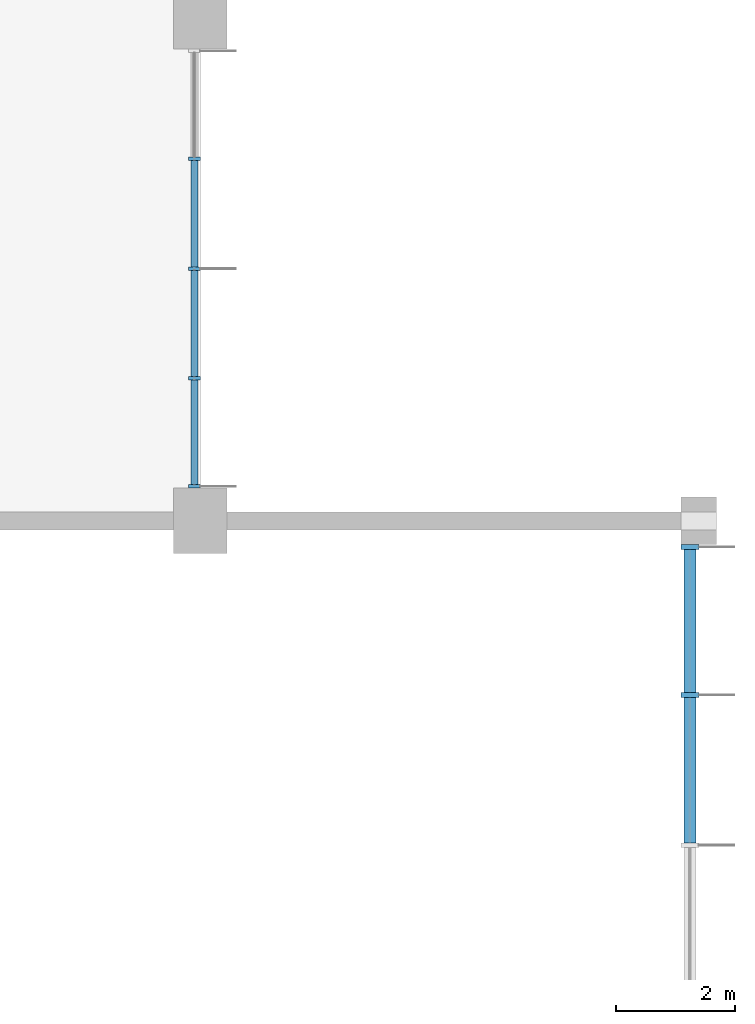
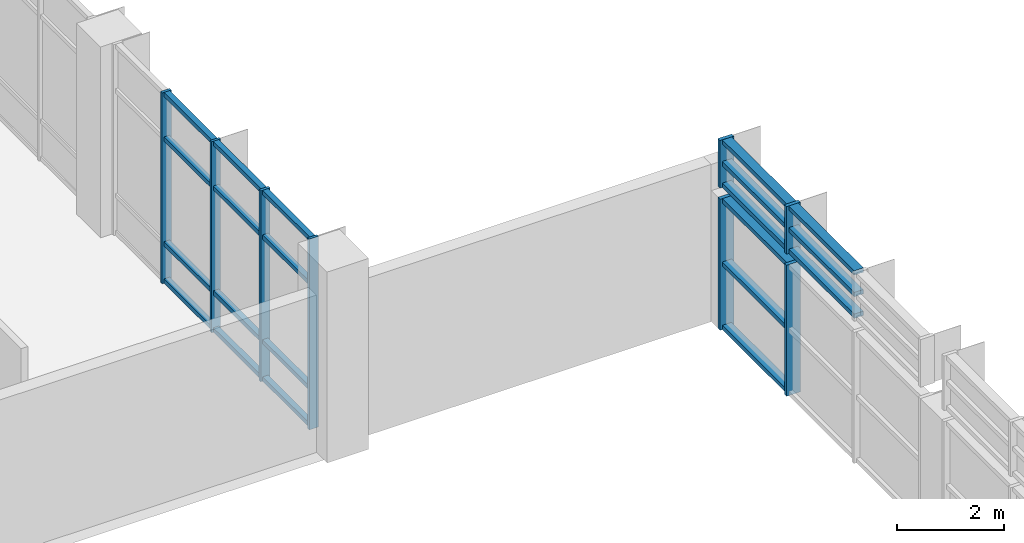
# One storey, part 17 of 70: 29 members, 3 elements without a shape of their own.
"""IFC4 building model written with IfcOpenShell, lengths in metres."""

from ifc_helpers import new_model, si_unit, direction, frame, origin, origin_2d, place, context, subcontext, project, spatial, rectangle, extrude, material, material_profile, profile_set, type_object, element, aggregate, save


model = new_model("IFC4")

# Units and contexts
model_context = context("Model", 3, precision=1e-05, world=origin(), true_north=direction((0.0, 1.0)))
body_context = subcontext(model_context, "Body", "Model", "MODEL_VIEW")
ifc_project = project(units=[si_unit("LENGTHUNIT", "METRE"), si_unit("AREAUNIT", "SQUARE_METRE"), si_unit("VOLUMEUNIT", "CUBIC_METRE"), si_unit("PLANEANGLEUNIT", "RADIAN"), si_unit("MASSUNIT", "GRAM", prefix="KILO")], contexts=[model_context])

# Site, building, storey
site_placement = place(None, origin())
site = spatial("IfcSite", under=ifc_project, at=site_placement, CompositionType="ELEMENT")
building_placement = place(site_placement, origin())
building = spatial("IfcBuilding", under=site, at=building_placement, Name="Hlaing Beacon Police Headquarters", CompositionType="ELEMENT")
storey_placement = place(building_placement, frame((0.0, 0.0, 5.39990234375)))
storey = spatial("IfcBuildingStorey", under=building, at=storey_placement, Name="L01", CompositionType="ELEMENT", Elevation=5.39990234375)

# Curtain wall, members
ifc_material_1 = material(Name="Aluminium frame with solar control glazing", Category="aluminium")
curtain_wall_type_1 = type_object("IfcCurtainWallType", Name="Unitised curtain wall 7.40 x 4.37", PredefinedType="NOTDEFINED", material=ifc_material_1)
curtain_wall_1_placement = place(storey_placement, origin())
curtain_wall_1 = element("IfcCurtainWall", 1, at=curtain_wall_1_placement, inside=storey, type_object=curtain_wall_type_1, Name="ENV-CW-L01-E019", PredefinedType="NOTDEFINED")
ifc_material_2 = material(Name="Aluminium", Category="aluminium")
ifc_material_profile_1 = material_profile(ifc_material_2, rectangle(XDim=0.199951171875, YDim=0.06005859375, at=origin_2d()), Name="Mullion 60x200")
ifc_profile_set_1 = profile_set([ifc_material_profile_1], Name="Aluminium")
member_type_1 = type_object("IfcMemberType", Name="Mullion 60x200", PredefinedType="MULLION", material=ifc_profile_set_1)
member_1_placement = place(storey_placement, frame((125.89990234375, 34.179931640625, 0.0), z_axis=(0.0, 0.0, 1.0), x_axis=(-1.0, 0.0, 0.0)))
member_1 = element("IfcMember", 2, at=member_1_placement, type_object=member_type_1, Name="CW-L01-E019 mullion 1", PredefinedType="MULLION", context=body_context, shape_type="SweptSolid", body=[
    extrude(rectangle(XDim=0.199951171875, YDim=0.06005859375, at=origin_2d()), origin(), (0.0, 0.0, 1.0), 4.3701171875),
])
member_2_placement = place(storey_placement, frame((125.89990234375, 36.0, 0.0), z_axis=(0.0, 0.0, 1.0), x_axis=(-1.0, 0.0, 0.0)))
member_2 = element("IfcMember", 3, at=member_2_placement, type_object=member_type_1, Name="CW-L01-E019 mullion 2", PredefinedType="MULLION", context=body_context, shape_type="SweptSolid", body=[
    extrude(rectangle(XDim=0.199951171875, YDim=0.06005859375, at=origin_2d()), origin(), (0.0, 0.0, 1.0), 4.3701171875),
])
member_3_placement = place(storey_placement, frame((125.89990234375, 37.85009765625, 0.0), z_axis=(0.0, 0.0, 1.0), x_axis=(-1.0, 0.0, 0.0)))
member_3 = element("IfcMember", 4, at=member_3_placement, type_object=member_type_1, Name="CW-L01-E019 mullion 3", PredefinedType="MULLION", context=body_context, shape_type="SweptSolid", body=[
    extrude(rectangle(XDim=0.199951171875, YDim=0.06005859375, at=origin_2d()), origin(), (0.0, 0.0, 1.0), 4.3701171875),
])
member_4_placement = place(storey_placement, frame((125.89990234375, 39.699951171875, 0.0), z_axis=(0.0, 0.0, 1.0), x_axis=(-1.0, 0.0, 0.0)))
member_4 = element("IfcMember", 5, at=member_4_placement, type_object=member_type_1, Name="CW-L01-E019 mullion 4", PredefinedType="MULLION", context=body_context, shape_type="SweptSolid", body=[
    extrude(rectangle(XDim=0.199951171875, YDim=0.06005859375, at=origin_2d()), origin(), (0.0, 0.0, 1.0), 4.3701171875),
])

ifc_material_3 = material(Name="Aluminium frame with solar control glazing", Category="aluminium")
curtain_wall_type_2 = type_object("IfcCurtainWallType", Name="Structural glazed gable wall 7.60 x 3.00", PredefinedType="NOTDEFINED", material=ifc_material_3)
curtain_wall_2_placement = place(storey_placement, origin())
curtain_wall_2 = element("IfcCurtainWall", 6, at=curtain_wall_2_placement, inside=storey, type_object=curtain_wall_type_2, Name="ENV-CW-L01-E005", PredefinedType="NOTDEFINED")
ifc_material_4 = material(Name="Aluminium", Category="aluminium")
ifc_material_profile_2 = material_profile(ifc_material_4, rectangle(XDim=0.300048828125, YDim=0.080078125, at=origin_2d()), Name="Mullion 80x300")
ifc_profile_set_2 = profile_set([ifc_material_profile_2], Name="Aluminium")
member_type_2 = type_object("IfcMemberType", Name="Mullion 80x300", PredefinedType="MULLION", material=ifc_profile_set_2)
member_5_placement = place(storey_placement, frame((134.25, 30.666748046875, 0.0), z_axis=(0.0, 0.0, 1.0), x_axis=(-1.0, 0.0, 0.0)))
member_5 = element("IfcMember", 7, at=member_5_placement, type_object=member_type_2, Name="CW-L01-E005 mullion 3", PredefinedType="MULLION", context=body_context, shape_type="SweptSolid", body=[
    extrude(rectangle(XDim=0.300048828125, YDim=0.080078125, at=origin_2d()), origin(), (0.0, 0.0, 1.0), 3.0),
])
member_6_placement = place(storey_placement, frame((134.25, 33.159912109375, 0.0), z_axis=(0.0, 0.0, 1.0), x_axis=(-1.0, 0.0, 0.0)))
member_6 = element("IfcMember", 8, at=member_6_placement, type_object=member_type_2, Name="CW-L01-E005 mullion 4", PredefinedType="MULLION", context=body_context, shape_type="SweptSolid", body=[
    extrude(rectangle(XDim=0.300048828125, YDim=0.080078125, at=origin_2d()), origin(), (0.0, 0.0, 1.0), 3.0),
])

ifc_material_5 = material(Name="Aluminium frame with solar control glazing", Category="aluminium")
curtain_wall_type_3 = type_object("IfcCurtainWallType", Name="Structural glazed gable wall 7.60 x 1.09", PredefinedType="NOTDEFINED", material=ifc_material_5)
curtain_wall_3_placement = place(storey_placement, origin())
curtain_wall_3 = element("IfcCurtainWall", 9, at=curtain_wall_3_placement, inside=storey, type_object=curtain_wall_type_3, Name="ENV-CW-L01-E006", PredefinedType="NOTDEFINED")
member_7_placement = place(storey_placement, frame((134.25, 30.666748046875, 3.254150390625), z_axis=(0.0, 0.0, 1.0), x_axis=(-1.0, 0.0, 0.0)))
member_7 = element("IfcMember", 10, at=member_7_placement, type_object=member_type_2, Name="CW-L01-E006 mullion 3", PredefinedType="MULLION", context=body_context, shape_type="SweptSolid", body=[
    extrude(rectangle(XDim=0.300048828125, YDim=0.080078125, at=origin_2d()), origin(), (0.0, 0.0, 1.0), 1.0908203125),
])
member_8_placement = place(storey_placement, frame((134.25, 33.159912109375, 3.254150390625), z_axis=(0.0, 0.0, 1.0), x_axis=(-1.0, 0.0, 0.0)))
member_8 = element("IfcMember", 11, at=member_8_placement, type_object=member_type_2, Name="CW-L01-E006 mullion 4", PredefinedType="MULLION", context=body_context, shape_type="SweptSolid", body=[
    extrude(rectangle(XDim=0.300048828125, YDim=0.080078125, at=origin_2d()), origin(), (0.0, 0.0, 1.0), 1.0908203125),
])

# Member
ifc_material_6 = material(Name="Aluminium", Category="aluminium")
ifc_material_profile_3 = material_profile(ifc_material_6, rectangle(XDim=0.1201171875, YDim=0.10009765625, at=origin_2d()), Name="Transom 120x100")
ifc_profile_set_3 = profile_set([ifc_material_profile_3], Name="Aluminium")
member_type_3 = type_object("IfcMemberType", Name="Transom 120x100", PredefinedType="USERDEFINED", material=ifc_profile_set_3)
member_9_placement = place(storey_placement, frame((125.89990234375, 34.2099609375, 0.050048828125), z_axis=(0.0, 1.0, 0.0), x_axis=(-1.0, 0.0, 0.0)))
member_9 = element("IfcMember", 12, at=member_9_placement, type_object=member_type_3, Name="CW-L01-E019 transom 1.1", ObjectType="TRANSOM", PredefinedType="USERDEFINED", context=body_context, shape_type="SweptSolid", body=[
    extrude(rectangle(XDim=0.1201171875, YDim=0.10009765625, at=origin_2d()), origin(), (0.0, 0.0, 1.0), 1.760009765625),
])

member_10_placement = place(storey_placement, frame((125.89990234375, 34.2099609375, 0.900146484375), z_axis=(0.0, 1.0, 0.0), x_axis=(-1.0, 0.0, 0.0)))
member_10 = element("IfcMember", 13, at=member_10_placement, type_object=member_type_3, Name="CW-L01-E019 transom 1.2", ObjectType="TRANSOM", PredefinedType="USERDEFINED", context=body_context, shape_type="SweptSolid", body=[
    extrude(rectangle(XDim=0.1201171875, YDim=0.10009765625, at=origin_2d()), origin(), (0.0, 0.0, 1.0), 1.760009765625),
])

member_11_placement = place(storey_placement, frame((125.89990234375, 34.2099609375, 3.300048828125), z_axis=(0.0, 1.0, 0.0), x_axis=(-1.0, 0.0, 0.0)))
member_11 = element("IfcMember", 14, at=member_11_placement, type_object=member_type_3, Name="CW-L01-E019 transom 1.3", ObjectType="TRANSOM", PredefinedType="USERDEFINED", context=body_context, shape_type="SweptSolid", body=[
    extrude(rectangle(XDim=0.1201171875, YDim=0.10009765625, at=origin_2d()), origin(), (0.0, 0.0, 1.0), 1.760009765625),
])

member_12_placement = place(storey_placement, frame((125.89990234375, 34.2099609375, 4.320068359375), z_axis=(0.0, 1.0, 0.0), x_axis=(-1.0, 0.0, 0.0)))
member_12 = element("IfcMember", 15, at=member_12_placement, type_object=member_type_3, Name="CW-L01-E019 transom 1.4", ObjectType="TRANSOM", PredefinedType="USERDEFINED", context=body_context, shape_type="SweptSolid", body=[
    extrude(rectangle(XDim=0.1201171875, YDim=0.10009765625, at=origin_2d()), origin(), (0.0, 0.0, 1.0), 1.760009765625),
])

member_13_placement = place(storey_placement, frame((125.89990234375, 36.030029296875, 0.050048828125), z_axis=(0.0, 1.0, 0.0), x_axis=(-1.0, 0.0, 0.0)))
member_13 = element("IfcMember", 16, at=member_13_placement, type_object=member_type_3, Name="CW-L01-E019 transom 2.1", ObjectType="TRANSOM", PredefinedType="USERDEFINED", context=body_context, shape_type="SweptSolid", body=[
    extrude(rectangle(XDim=0.1201171875, YDim=0.10009765625, at=origin_2d()), origin(), (0.0, 0.0, 1.0), 1.7900390625),
])

member_14_placement = place(storey_placement, frame((125.89990234375, 36.030029296875, 0.900146484375), z_axis=(0.0, 1.0, 0.0), x_axis=(-1.0, 0.0, 0.0)))
member_14 = element("IfcMember", 17, at=member_14_placement, type_object=member_type_3, Name="CW-L01-E019 transom 2.2", ObjectType="TRANSOM", PredefinedType="USERDEFINED", context=body_context, shape_type="SweptSolid", body=[
    extrude(rectangle(XDim=0.1201171875, YDim=0.10009765625, at=origin_2d()), origin(), (0.0, 0.0, 1.0), 1.7900390625),
])

member_15_placement = place(storey_placement, frame((125.89990234375, 36.030029296875, 3.300048828125), z_axis=(0.0, 1.0, 0.0), x_axis=(-1.0, 0.0, 0.0)))
member_15 = element("IfcMember", 18, at=member_15_placement, type_object=member_type_3, Name="CW-L01-E019 transom 2.3", ObjectType="TRANSOM", PredefinedType="USERDEFINED", context=body_context, shape_type="SweptSolid", body=[
    extrude(rectangle(XDim=0.1201171875, YDim=0.10009765625, at=origin_2d()), origin(), (0.0, 0.0, 1.0), 1.7900390625),
])

member_16_placement = place(storey_placement, frame((125.89990234375, 36.030029296875, 4.320068359375), z_axis=(0.0, 1.0, 0.0), x_axis=(-1.0, 0.0, 0.0)))
member_16 = element("IfcMember", 19, at=member_16_placement, type_object=member_type_3, Name="CW-L01-E019 transom 2.4", ObjectType="TRANSOM", PredefinedType="USERDEFINED", context=body_context, shape_type="SweptSolid", body=[
    extrude(rectangle(XDim=0.1201171875, YDim=0.10009765625, at=origin_2d()), origin(), (0.0, 0.0, 1.0), 1.7900390625),
])

member_17_placement = place(storey_placement, frame((125.89990234375, 37.8798828125, 0.050048828125), z_axis=(0.0, 1.0, 0.0), x_axis=(-1.0, 0.0, 0.0)))
member_17 = element("IfcMember", 20, at=member_17_placement, type_object=member_type_3, Name="CW-L01-E019 transom 3.1", ObjectType="TRANSOM", PredefinedType="USERDEFINED", context=body_context, shape_type="SweptSolid", body=[
    extrude(rectangle(XDim=0.1201171875, YDim=0.10009765625, at=origin_2d()), origin(), (0.0, 0.0, 1.0), 1.7900390625),
])

member_18_placement = place(storey_placement, frame((125.89990234375, 37.8798828125, 0.900146484375), z_axis=(0.0, 1.0, 0.0), x_axis=(-1.0, 0.0, 0.0)))
member_18 = element("IfcMember", 21, at=member_18_placement, type_object=member_type_3, Name="CW-L01-E019 transom 3.2", ObjectType="TRANSOM", PredefinedType="USERDEFINED", context=body_context, shape_type="SweptSolid", body=[
    extrude(rectangle(XDim=0.1201171875, YDim=0.10009765625, at=origin_2d()), origin(), (0.0, 0.0, 1.0), 1.7900390625),
])

member_19_placement = place(storey_placement, frame((125.89990234375, 37.8798828125, 3.300048828125), z_axis=(0.0, 1.0, 0.0), x_axis=(-1.0, 0.0, 0.0)))
member_19 = element("IfcMember", 22, at=member_19_placement, type_object=member_type_3, Name="CW-L01-E019 transom 3.3", ObjectType="TRANSOM", PredefinedType="USERDEFINED", context=body_context, shape_type="SweptSolid", body=[
    extrude(rectangle(XDim=0.1201171875, YDim=0.10009765625, at=origin_2d()), origin(), (0.0, 0.0, 1.0), 1.7900390625),
])

member_20_placement = place(storey_placement, frame((125.89990234375, 37.8798828125, 4.320068359375), z_axis=(0.0, 1.0, 0.0), x_axis=(-1.0, 0.0, 0.0)))
member_20 = element("IfcMember", 23, at=member_20_placement, type_object=member_type_3, Name="CW-L01-E019 transom 3.4", ObjectType="TRANSOM", PredefinedType="USERDEFINED", context=body_context, shape_type="SweptSolid", body=[
    extrude(rectangle(XDim=0.1201171875, YDim=0.10009765625, at=origin_2d()), origin(), (0.0, 0.0, 1.0), 1.7900390625),
])

aggregate(curtain_wall_1, [member_1, member_2, member_3, member_4, member_9, member_10, member_11, member_12, member_13, member_14, member_15, member_16, member_17, member_18, member_19, member_20])

ifc_material_7 = material(Name="Aluminium", Category="aluminium")
ifc_material_profile_4 = material_profile(ifc_material_7, rectangle(XDim=0.199951171875, YDim=0.10009765625, at=origin_2d()), Name="Transom 200x100")
ifc_profile_set_4 = profile_set([ifc_material_profile_4], Name="Aluminium")
member_type_4 = type_object("IfcMemberType", Name="Transom 200x100", PredefinedType="USERDEFINED", material=ifc_profile_set_4)
member_21_placement = place(storey_placement, frame((134.25, 30.706787109375, 0.050048828125), z_axis=(0.0, 1.0, 0.0), x_axis=(-1.0, 0.0, 0.0)))
member_21 = element("IfcMember", 24, at=member_21_placement, type_object=member_type_4, Name="CW-L01-E005 transom 3.1", ObjectType="TRANSOM", PredefinedType="USERDEFINED", context=body_context, shape_type="SweptSolid", body=[
    extrude(rectangle(XDim=0.199951171875, YDim=0.10009765625, at=origin_2d()), origin(), (0.0, 0.0, 1.0), 2.413330078125),
])

member_22_placement = place(storey_placement, frame((134.25, 30.706787109375, 1.5), z_axis=(0.0, 1.0, 0.0), x_axis=(-1.0, 0.0, 0.0)))
member_22 = element("IfcMember", 25, at=member_22_placement, type_object=member_type_4, Name="CW-L01-E005 transom 3.2", ObjectType="TRANSOM", PredefinedType="USERDEFINED", context=body_context, shape_type="SweptSolid", body=[
    extrude(rectangle(XDim=0.199951171875, YDim=0.10009765625, at=origin_2d()), origin(), (0.0, 0.0, 1.0), 2.413330078125),
])

member_23_placement = place(storey_placement, frame((134.25, 30.706787109375, 2.9501953125), z_axis=(0.0, 1.0, 0.0), x_axis=(-1.0, 0.0, 0.0)))
member_23 = element("IfcMember", 26, at=member_23_placement, type_object=member_type_4, Name="CW-L01-E005 transom 3.3", ObjectType="TRANSOM", PredefinedType="USERDEFINED", context=body_context, shape_type="SweptSolid", body=[
    extrude(rectangle(XDim=0.199951171875, YDim=0.10009765625, at=origin_2d()), origin(), (0.0, 0.0, 1.0), 2.413330078125),
])

aggregate(curtain_wall_2, [member_5, member_6, member_21, member_22, member_23])

member_24_placement = place(storey_placement, frame((134.25, 28.17333984375, 3.30419921875), z_axis=(0.0, 1.0, 0.0), x_axis=(-1.0, 0.0, 0.0)))
member_24 = element("IfcMember", 27, at=member_24_placement, type_object=member_type_4, Name="CW-L01-E006 transom 2.1", ObjectType="TRANSOM", PredefinedType="USERDEFINED", context=body_context, shape_type="SweptSolid", body=[
    extrude(rectangle(XDim=0.199951171875, YDim=0.10009765625, at=origin_2d()), origin(), (0.0, 0.0, 1.0), 2.453369140625),
])

member_25_placement = place(storey_placement, frame((134.25, 28.17333984375, 3.799072265625), z_axis=(0.0, 1.0, 0.0), x_axis=(-1.0, 0.0, 0.0)))
member_25 = element("IfcMember", 28, at=member_25_placement, type_object=member_type_4, Name="CW-L01-E006 transom 2.2", ObjectType="TRANSOM", PredefinedType="USERDEFINED", context=body_context, shape_type="SweptSolid", body=[
    extrude(rectangle(XDim=0.199951171875, YDim=0.10009765625, at=origin_2d()), origin(), (0.0, 0.0, 1.0), 2.453369140625),
])

member_26_placement = place(storey_placement, frame((134.25, 28.17333984375, 4.294921875), z_axis=(0.0, 1.0, 0.0), x_axis=(-1.0, 0.0, 0.0)))
member_26 = element("IfcMember", 29, at=member_26_placement, type_object=member_type_4, Name="CW-L01-E006 transom 2.3", ObjectType="TRANSOM", PredefinedType="USERDEFINED", context=body_context, shape_type="SweptSolid", body=[
    extrude(rectangle(XDim=0.199951171875, YDim=0.10009765625, at=origin_2d()), origin(), (0.0, 0.0, 1.0), 2.453369140625),
])

member_27_placement = place(storey_placement, frame((134.25, 30.706787109375, 3.30419921875), z_axis=(0.0, 1.0, 0.0), x_axis=(-1.0, 0.0, 0.0)))
member_27 = element("IfcMember", 30, at=member_27_placement, type_object=member_type_4, Name="CW-L01-E006 transom 3.1", ObjectType="TRANSOM", PredefinedType="USERDEFINED", context=body_context, shape_type="SweptSolid", body=[
    extrude(rectangle(XDim=0.199951171875, YDim=0.10009765625, at=origin_2d()), origin(), (0.0, 0.0, 1.0), 2.413330078125),
])

member_28_placement = place(storey_placement, frame((134.25, 30.706787109375, 3.799072265625), z_axis=(0.0, 1.0, 0.0), x_axis=(-1.0, 0.0, 0.0)))
member_28 = element("IfcMember", 31, at=member_28_placement, type_object=member_type_4, Name="CW-L01-E006 transom 3.2", ObjectType="TRANSOM", PredefinedType="USERDEFINED", context=body_context, shape_type="SweptSolid", body=[
    extrude(rectangle(XDim=0.199951171875, YDim=0.10009765625, at=origin_2d()), origin(), (0.0, 0.0, 1.0), 2.413330078125),
])

member_29_placement = place(storey_placement, frame((134.25, 30.706787109375, 4.294921875), z_axis=(0.0, 1.0, 0.0), x_axis=(-1.0, 0.0, 0.0)))
member_29 = element("IfcMember", 32, at=member_29_placement, type_object=member_type_4, Name="CW-L01-E006 transom 3.3", ObjectType="TRANSOM", PredefinedType="USERDEFINED", context=body_context, shape_type="SweptSolid", body=[
    extrude(rectangle(XDim=0.199951171875, YDim=0.10009765625, at=origin_2d()), origin(), (0.0, 0.0, 1.0), 2.413330078125),
])

aggregate(curtain_wall_3, [member_7, member_8, member_24, member_25, member_26, member_27, member_28, member_29])

save(model, "model.ifc")
